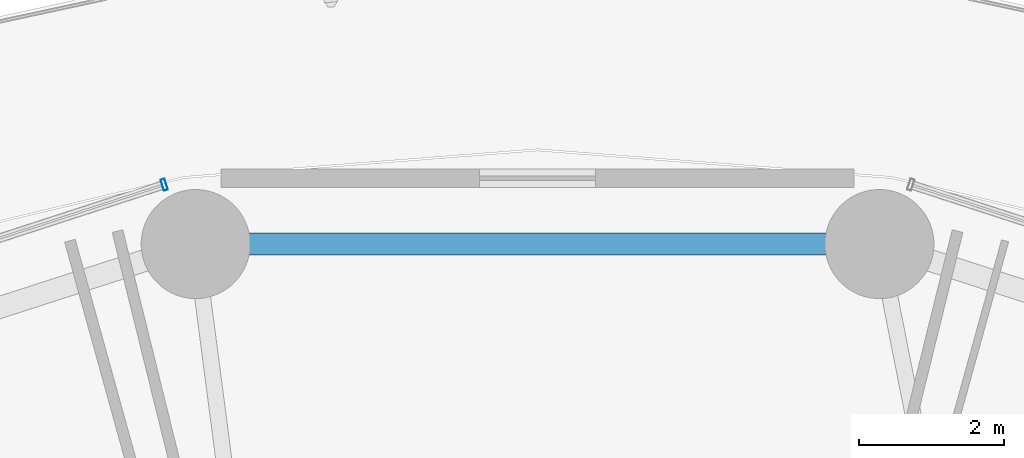
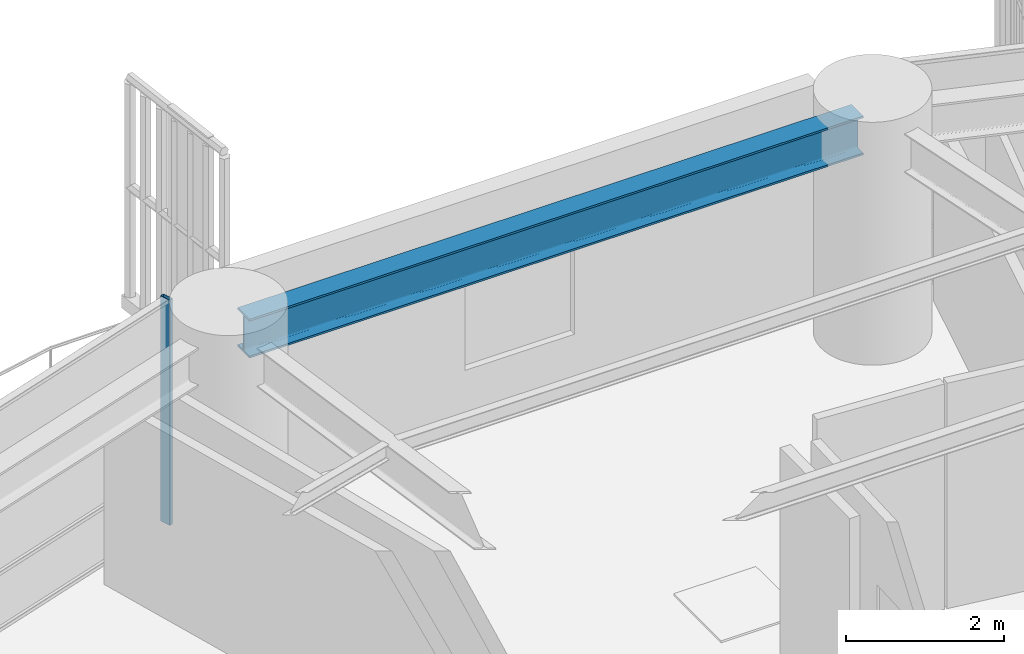
# One storey, part 18 of 35: 1 beam, 1 member, 1 element without a shape of its own.
"""IFC4 building model written with IfcOpenShell, lengths in metres."""

from ifc_helpers import new_model, si_unit, direction, frame, origin, origin_2d, place, context, subcontext, project, spatial, hollow_rectangle, i_section, extrude, material, layer, layer_set, material_profile, profile_set, type_object, element, aggregate, save


model = new_model("IFC4")

# Units and contexts
model_context = context("Model", 3, precision=1e-05, world=origin(), true_north=direction((0.0, 1.0)))
body_context = subcontext(model_context, "Body", "Model", "MODEL_VIEW")
ifc_project = project(units=[si_unit("LENGTHUNIT", "METRE"), si_unit("AREAUNIT", "SQUARE_METRE"), si_unit("VOLUMEUNIT", "CUBIC_METRE"), si_unit("PLANEANGLEUNIT", "RADIAN"), si_unit("MASSUNIT", "GRAM", prefix="KILO")], contexts=[model_context])

# Site, building, storey
site_placement = place(None, origin())
site = spatial("IfcSite", under=ifc_project, at=site_placement, CompositionType="ELEMENT")
building_placement = place(site_placement, origin())
building = spatial("IfcBuilding", under=site, at=building_placement, Name="Kelanora Arch Commons", CompositionType="ELEMENT")
storey_placement = place(building_placement, frame((0.0, 0.0, 22.5)))
storey = spatial("IfcBuildingStorey", under=building, at=storey_placement, Name="L05", CompositionType="ELEMENT", Elevation=22.5)

# Beam
ifc_material_1 = material(Name="Steel S355", Category="steel")
ifc_material_profile_1 = material_profile(ifc_material_1, i_section(OverallWidth=0.300048828125, OverallDepth=0.60009765625, WebThickness=0.015380859375, FlangeThickness=0.030029296875, FilletRadius=0.027099609375, at=origin_2d()), Name="HEB600")
ifc_profile_set_1 = profile_set([ifc_material_profile_1], Name="Steel S355")
beam_type = type_object("IfcBeamType", Name="BM-SPN-Z1", PredefinedType="SPANDREL", material=ifc_profile_set_1)
beam_placement = place(storey_placement, frame((78.482421875, 81.714111328125, 3.18994140625), z_axis=(-1.0, 0.0, 0.0), x_axis=(0.0, -1.0, 0.0)))
element("IfcBeam", 1, at=beam_placement, inside=storey, type_object=beam_type, Name="Perimeter Spandrel Beam BS-08 L05", PredefinedType="SPANDREL", context=body_context, shape_type="SweptSolid", body=[
    extrude(i_section(OverallWidth=0.300048828125, OverallDepth=0.60009765625, WebThickness=0.015380859375, FlangeThickness=0.030029296875, FilletRadius=0.027099609375, at=origin_2d()), origin(), (0.0, 0.0, 1.0), 8.96484375),
])

# Curtain wall, member
ifc_material_2 = material(Name="Terracotta ceramic-fritted low-E glass and aluminium", Category="masonry")
ifc_layer = layer(ifc_material_2, 0.159912109375)
ifc_layer_set = layer_set([ifc_layer], Name="Terracotta ceramic-fritted low-E glass and aluminium")
curtain_wall_type = type_object("IfcCurtainWallType", Name="CW-SYS-01", PredefinedType="NOTDEFINED", material=ifc_layer_set)
curtain_wall_placement = place(storey_placement, origin())
curtain_wall = element("IfcCurtainWall", 2, at=curtain_wall_placement, inside=storey, type_object=curtain_wall_type, Name="Unitised Curtain Wall L05-B05", PredefinedType="NOTDEFINED")
ifc_material_3 = material(Name="Powder-coated aluminium terracotta", Category="masonry")
ifc_material_profile_2 = material_profile(ifc_material_3, hollow_rectangle(XDim=0.159912109375, YDim=0.06005859375, WallThickness=0.0048828125, InnerFilletRadius=0.0048828125, OuterFilletRadius=0.010009765625, at=origin_2d()), Name="CWM160x60")
ifc_profile_set_2 = profile_set([ifc_material_profile_2], Name="Powder-coated aluminium terracotta")
member_type = type_object("IfcMemberType", Name="CWM-STD", PredefinedType="MULLION", material=ifc_profile_set_2)
member_placement = place(storey_placement, frame((68.865478515625, 82.53173828125, 0.0), z_axis=(0.0, 0.0, 1.0), x_axis=(0.30905758454, -0.951043326793, 0.0)))
member = element("IfcMember", 3, at=member_placement, type_object=member_type, Name="CW-01 mullion 1", PredefinedType="MULLION", context=body_context, shape_type="SweptSolid", body=[
    extrude(hollow_rectangle(XDim=0.159912109375, YDim=0.06005859375, WallThickness=0.0048828125, InnerFilletRadius=0.0048828125, OuterFilletRadius=0.010009765625, at=origin_2d()), origin(), (0.0, 0.0, 1.0), 3.47509765625),
])
aggregate(curtain_wall, [member])

save(model, "model.ifc")
